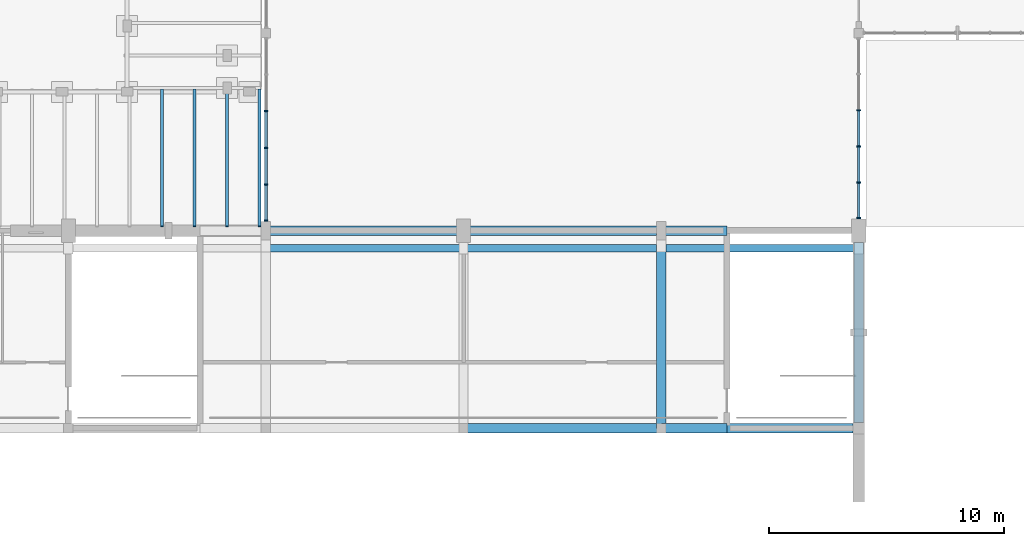
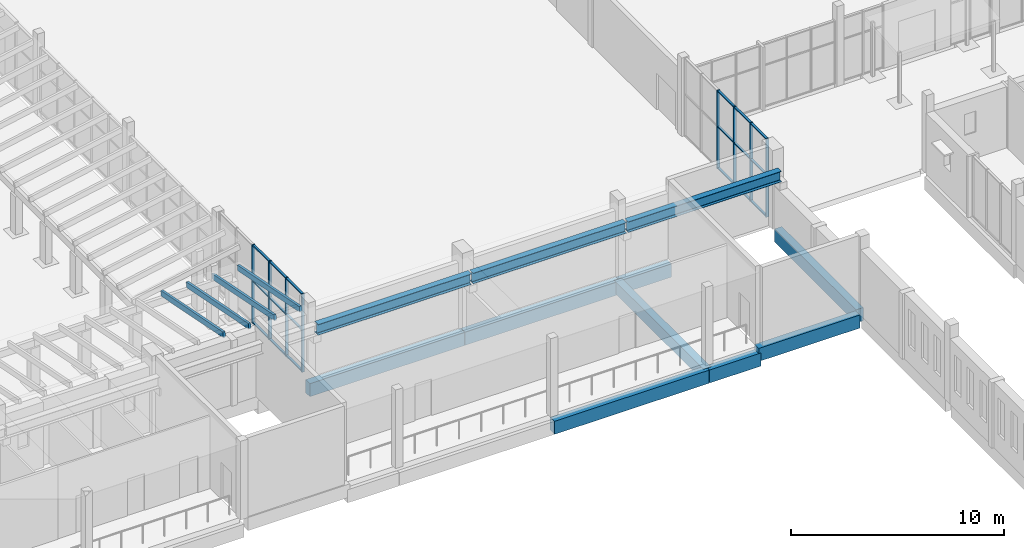
# One storey, part 10 of 60: 30 members, 11 beams, 2 elements without a shape of their own.
"""IFC4 building model written with IfcOpenShell, lengths in metres."""

from ifc_helpers import new_model, si_unit, direction, frame, origin, origin_2d, place, context, subcontext, project, spatial, rectangle, i_section, extrude, material, material_profile, profile_set, type_object, element, aggregate, save


model = new_model("IFC4")

# Units and contexts
model_context = context("Model", 3, precision=1e-05, world=origin(), true_north=direction((0.0, 1.0)))
body_context = subcontext(model_context, "Body", "Model", "MODEL_VIEW")
ifc_project = project(units=[si_unit("LENGTHUNIT", "METRE"), si_unit("AREAUNIT", "SQUARE_METRE"), si_unit("VOLUMEUNIT", "CUBIC_METRE"), si_unit("PLANEANGLEUNIT", "RADIAN"), si_unit("MASSUNIT", "GRAM", prefix="KILO")], contexts=[model_context])

# Site, building, storey
site_placement = place(None, origin())
site = spatial("IfcSite", under=ifc_project, at=site_placement, CompositionType="ELEMENT")
building_placement = place(site_placement, origin())
building = spatial("IfcBuilding", under=site, at=building_placement, Name="Fescue Hill Polytechnic", CompositionType="ELEMENT")
storey_placement = place(building_placement, frame((0.0, 0.0, 4.5)))
storey = spatial("IfcBuildingStorey", under=building, at=storey_placement, Name="L01", CompositionType="ELEMENT", Elevation=4.5)

# Beams
ifc_material_1 = material(Name="Concrete 35 MPa", Category="concrete")
ifc_material_profile_1 = material_profile(ifc_material_1, rectangle(XDim=0.39990234375, YDim=0.699951171875, at=origin_2d()), Name="RC 400x700")
ifc_profile_set_1 = profile_set([ifc_material_profile_1], Name="Concrete 35 MPa")
beam_type_1 = type_object("IfcBeamType", Name="Beam RC 400x700", PredefinedType="BEAM", material=ifc_profile_set_1)
beam_1_placement = place(storey_placement, frame((109.199951171875, 42.0, -0.64990234375), z_axis=(0.0, 1.0, 0.0), x_axis=(-1.0, 0.0, 0.0)))
element("IfcBeam", 1, at=beam_1_placement, inside=storey, type_object=beam_type_1, Name="BM-L01-0096", PredefinedType="BEAM", context=body_context, shape_type="SweptSolid", body=[
    extrude(rectangle(XDim=0.39990234375, YDim=0.699951171875, at=origin_2d()), origin(), (0.0, 0.0, 1.0), 8.39990234375),
])
ifc_material_profile_2 = material_profile(ifc_material_1, rectangle(XDim=0.39990234375, YDim=0.75, at=origin_2d()), Name="RC 400x750")
ifc_profile_set_2 = profile_set([ifc_material_profile_2], Name="Concrete 35 MPa")
beam_type_2 = type_object("IfcBeamType", Name="Beam RC 400x750", PredefinedType="BEAM", material=ifc_profile_set_2)
beam_2_placement = place(storey_placement, frame((92.409912109375, 50.39990234375, -0.675048828125), z_axis=(1.0, 0.0, 0.0), x_axis=(0.0, 1.0, 0.0)))
element("IfcBeam", 2, at=beam_2_placement, inside=storey, type_object=beam_type_2, Name="BM-L01-0085", PredefinedType="BEAM", context=body_context, shape_type="SweptSolid", body=[
    extrude(rectangle(XDim=0.39990234375, YDim=0.75, at=origin_2d()), origin(), (0.0, 0.0, 1.0), 8.380126953125),
])
for number, where, z_axis, x_axis, name in (
    (3, (100.81005859375, 42.0, -0.675048828125), (1.0, 0.0, 0.0), (0.0, 1.0, 0.0), "BM-L01-0092"),
    (4, (100.81005859375, 50.39990234375, -0.675048828125), (1.0, 0.0, 0.0), (0.0, 1.0, 0.0), "BM-L01-0093"),
):
    element("IfcBeam", number, at=place(storey_placement, frame(where, z_axis=z_axis, x_axis=x_axis)), inside=storey, type_object=beam_type_2, Name=name, PredefinedType="BEAM", context=body_context, shape_type="SweptSolid", body=[
        extrude(rectangle(XDim=0.39990234375, YDim=0.75, at=origin_2d()), origin(), (0.0, 0.0, 1.0), 8.3798828125),
    ])
for number, where, z_axis, x_axis, name in (
    (5, (109.2099609375, 42.0, -0.675048828125), (1.0, 0.0, 0.0), (0.0, 1.0, 0.0), "BM-L01-0100"),
    (6, (109.2099609375, 50.39990234375, -0.675048828125), (1.0, 0.0, 0.0), (0.0, 1.0, 0.0), "BM-L01-0101"),
):
    element("IfcBeam", number, at=place(storey_placement, frame(where, z_axis=z_axis, x_axis=x_axis)), inside=storey, type_object=beam_type_2, Name=name, PredefinedType="BEAM", context=body_context, shape_type="SweptSolid", body=[
        extrude(rectangle(XDim=0.39990234375, YDim=0.75, at=origin_2d()), origin(), (0.0, 0.0, 1.0), 2.7900390625),
    ])
beam_3_placement = place(storey_placement, frame((111.875, 42.0, -0.375), z_axis=(1.0, 0.0, 0.0), x_axis=(0.0, 1.0, 0.0)))
element("IfcBeam", 7, at=beam_3_placement, inside=storey, type_object=beam_type_2, Name="BM-L01-0139", PredefinedType="BEAM", context=body_context, shape_type="SweptSolid", body=[
    extrude(rectangle(XDim=0.39990234375, YDim=0.75, at=origin_2d()), origin(), (0.0, 0.0, 1.0), 5.47509765625),
])
beam_4_placement = place(storey_placement, frame((117.60009765625, 42.25, -0.375), z_axis=(0.0, 1.0, 0.0), x_axis=(-1.0, 0.0, 0.0)))
element("IfcBeam", 8, at=beam_4_placement, inside=storey, type_object=beam_type_2, Name="BM-L01-0144", PredefinedType="BEAM", context=body_context, shape_type="SweptSolid", body=[
    extrude(rectangle(XDim=0.39990234375, YDim=0.75, at=origin_2d()), origin(), (0.0, 0.0, 1.0), 7.64990234375),
])
ifc_material_2 = material(Name="Steel 350W (350 MPa)", Category="steel")
ifc_material_profile_3 = material_profile(ifc_material_2, i_section(OverallWidth=0.323974609375, OverallDepth=0.611083984375, WebThickness=0.0126953125, FlangeThickness=0.01904296875, FilletRadius=0.02197265625, at=origin_2d()), Name="W610x155")
ifc_profile_set_3 = profile_set([ifc_material_profile_3], Name="Steel 350W (350 MPa)")
beam_type_3 = type_object("IfcBeamType", Name="Crane runway girder W610x155", PredefinedType="BEAM", material=ifc_profile_set_3)
beam_5_placement = place(storey_placement, frame((92.449951171875, 49.64990234375, 3.194580078125), z_axis=(1.0, 0.0, 0.0), x_axis=(0.0, 1.0, 0.0)))
element("IfcBeam", 9, at=beam_5_placement, inside=storey, type_object=beam_type_3, Name="Crane runway girder N12", PredefinedType="BEAM", context=body_context, shape_type="SweptSolid", body=[
    extrude(i_section(OverallWidth=0.323974609375, OverallDepth=0.611083984375, WebThickness=0.0126953125, FlangeThickness=0.01904296875, FilletRadius=0.02197265625, at=origin_2d()), origin(), (0.0, 0.0, 1.0), 8.300048828125),
])
beam_6_placement = place(storey_placement, frame((100.85009765625, 49.64990234375, 3.194580078125), z_axis=(1.0, 0.0, 0.0), x_axis=(0.0, 1.0, 0.0)))
element("IfcBeam", 10, at=beam_6_placement, inside=storey, type_object=beam_type_3, Name="Crane runway girder N13", PredefinedType="BEAM", context=body_context, shape_type="SweptSolid", body=[
    extrude(i_section(OverallWidth=0.323974609375, OverallDepth=0.611083984375, WebThickness=0.0126953125, FlangeThickness=0.01904296875, FilletRadius=0.02197265625, at=origin_2d()), origin(), (0.0, 0.0, 1.0), 8.2998046875),
])
beam_7_placement = place(storey_placement, frame((109.25, 49.64990234375, 3.194580078125), z_axis=(1.0, 0.0, 0.0), x_axis=(0.0, 1.0, 0.0)))
element("IfcBeam", 11, at=beam_7_placement, inside=storey, type_object=beam_type_3, Name="Crane runway girder N14", PredefinedType="BEAM", context=body_context, shape_type="SweptSolid", body=[
    extrude(i_section(OverallWidth=0.323974609375, OverallDepth=0.611083984375, WebThickness=0.0126953125, FlangeThickness=0.01904296875, FilletRadius=0.02197265625, at=origin_2d()), origin(), (0.0, 0.0, 1.0), 8.300048828125),
])

# Curtain wall, members
ifc_material_3 = material(Name="Glass", Category="glass")
curtain_wall_type = type_object("IfcCurtainWallType", Name="Curtain wall structural glazing", PredefinedType="NOTDEFINED", material=ifc_material_3)
curtain_wall_1_placement = place(storey_placement, origin())
curtain_wall_1 = element("IfcCurtainWall", 12, at=curtain_wall_1_placement, inside=storey, type_object=curtain_wall_type, Name="CW-L01-V6-1", PredefinedType="NOTDEFINED")
ifc_material_4 = material(Name="Powder-coated aluminium", Category="aluminium")
ifc_material_profile_4 = material_profile(ifc_material_4, rectangle(XDim=0.159912109375, YDim=0.06005859375, at=origin_2d()), Name="Mullion aluminium 60x160")
ifc_profile_set_4 = profile_set([ifc_material_profile_4], Name="Powder-coated aluminium")
member_type_1 = type_object("IfcMemberType", Name="Mullion aluminium 60x160", PredefinedType="MULLION", material=ifc_profile_set_4)
member_1_placement = place(storey_placement, frame((117.60009765625, 50.929931640625, 0.0), z_axis=(0.0, 0.0, 1.0), x_axis=(-1.0, 0.0, 0.0)))
member_1 = element("IfcMember", 13, at=member_1_placement, type_object=member_type_1, Name="CW47 mullion 1", PredefinedType="MULLION", context=body_context, shape_type="SweptSolid", body=[
    extrude(rectangle(XDim=0.159912109375, YDim=0.06005859375, at=origin_2d()), origin(), (0.0, 0.0, 1.0), 4.47998046875),
])
member_2_placement = place(storey_placement, frame((117.60009765625, 52.43994140625, 0.0), z_axis=(0.0, 0.0, 1.0), x_axis=(-1.0, 0.0, 0.0)))
member_2 = element("IfcMember", 14, at=member_2_placement, type_object=member_type_1, Name="CW47 mullion 2", PredefinedType="MULLION", context=body_context, shape_type="SweptSolid", body=[
    extrude(rectangle(XDim=0.159912109375, YDim=0.06005859375, at=origin_2d()), origin(), (0.0, 0.0, 1.0), 4.47998046875),
])
member_3_placement = place(storey_placement, frame((117.60009765625, 53.97998046875, 0.0), z_axis=(0.0, 0.0, 1.0), x_axis=(-1.0, 0.0, 0.0)))
member_3 = element("IfcMember", 15, at=member_3_placement, type_object=member_type_1, Name="CW47 mullion 3", PredefinedType="MULLION", context=body_context, shape_type="SweptSolid", body=[
    extrude(rectangle(XDim=0.159912109375, YDim=0.06005859375, at=origin_2d()), origin(), (0.0, 0.0, 1.0), 4.47998046875),
])
member_4_placement = place(storey_placement, frame((117.60009765625, 55.52001953125, 0.0), z_axis=(0.0, 0.0, 1.0), x_axis=(-1.0, 0.0, 0.0)))
member_4 = element("IfcMember", 16, at=member_4_placement, type_object=member_type_1, Name="CW47 mullion 4", PredefinedType="MULLION", context=body_context, shape_type="SweptSolid", body=[
    extrude(rectangle(XDim=0.159912109375, YDim=0.06005859375, at=origin_2d()), origin(), (0.0, 0.0, 1.0), 4.47998046875),
])

curtain_wall_2_placement = place(storey_placement, origin())
curtain_wall_2 = element("IfcCurtainWall", 17, at=curtain_wall_2_placement, inside=storey, type_object=curtain_wall_type, Name="CW-L01-V6-7", PredefinedType="NOTDEFINED")
member_5_placement = place(storey_placement, frame((92.39990234375, 55.47998046875, 0.0), z_axis=(0.0, 0.0, 1.0), x_axis=(1.0, 0.0, 0.0)))
member_5 = element("IfcMember", 18, at=member_5_placement, type_object=member_type_1, Name="CW53 mullion 3", PredefinedType="MULLION", context=body_context, shape_type="SweptSolid", body=[
    extrude(rectangle(XDim=0.159912109375, YDim=0.06005859375, at=origin_2d()), origin(), (0.0, 0.0, 1.0), 4.47998046875),
])
member_6_placement = place(storey_placement, frame((92.39990234375, 53.919921875, 0.0), z_axis=(0.0, 0.0, 1.0), x_axis=(1.0, 0.0, 0.0)))
member_6 = element("IfcMember", 19, at=member_6_placement, type_object=member_type_1, Name="CW53 mullion 4", PredefinedType="MULLION", context=body_context, shape_type="SweptSolid", body=[
    extrude(rectangle(XDim=0.159912109375, YDim=0.06005859375, at=origin_2d()), origin(), (0.0, 0.0, 1.0), 4.47998046875),
])
member_7_placement = place(storey_placement, frame((92.39990234375, 52.360107421875, 0.0), z_axis=(0.0, 0.0, 1.0), x_axis=(1.0, 0.0, 0.0)))
member_7 = element("IfcMember", 20, at=member_7_placement, type_object=member_type_1, Name="CW53 mullion 5", PredefinedType="MULLION", context=body_context, shape_type="SweptSolid", body=[
    extrude(rectangle(XDim=0.159912109375, YDim=0.06005859375, at=origin_2d()), origin(), (0.0, 0.0, 1.0), 4.47998046875),
])
member_8_placement = place(storey_placement, frame((92.39990234375, 50.830078125, 0.0), z_axis=(0.0, 0.0, 1.0), x_axis=(1.0, 0.0, 0.0)))
member_8 = element("IfcMember", 21, at=member_8_placement, type_object=member_type_1, Name="CW53 mullion 6", PredefinedType="MULLION", context=body_context, shape_type="SweptSolid", body=[
    extrude(rectangle(XDim=0.159912109375, YDim=0.06005859375, at=origin_2d()), origin(), (0.0, 0.0, 1.0), 4.47998046875),
])

# Member
ifc_material_profile_5 = material_profile(ifc_material_4, rectangle(XDim=0.1201171875, YDim=0.06005859375, at=origin_2d()), Name="Transom aluminium 60x120")
ifc_profile_set_5 = profile_set([ifc_material_profile_5], Name="Powder-coated aluminium")
member_type_2 = type_object("IfcMemberType", Name="Transom aluminium 60x120", PredefinedType="USERDEFINED", material=ifc_profile_set_5)
member_9_placement = place(storey_placement, frame((117.60009765625, 50.9599609375, 0.030029296875), z_axis=(0.0, 1.0, 0.0), x_axis=(-1.0, 0.0, 0.0)))
member_9 = element("IfcMember", 22, at=member_9_placement, type_object=member_type_2, Name="CW47 transom 1.1", ObjectType="TRANSOM", PredefinedType="USERDEFINED", context=body_context, shape_type="SweptSolid", body=[
    extrude(rectangle(XDim=0.1201171875, YDim=0.06005859375, at=origin_2d()), origin(), (0.0, 0.0, 1.0), 1.449951171875),
])

member_10_placement = place(storey_placement, frame((117.60009765625, 50.9599609375, 2.39990234375), z_axis=(0.0, 1.0, 0.0), x_axis=(-1.0, 0.0, 0.0)))
member_10 = element("IfcMember", 23, at=member_10_placement, type_object=member_type_2, Name="CW47 transom 1.2", ObjectType="TRANSOM", PredefinedType="USERDEFINED", context=body_context, shape_type="SweptSolid", body=[
    extrude(rectangle(XDim=0.1201171875, YDim=0.06005859375, at=origin_2d()), origin(), (0.0, 0.0, 1.0), 1.449951171875),
])

member_11_placement = place(storey_placement, frame((117.60009765625, 50.9599609375, 4.449951171875), z_axis=(0.0, 1.0, 0.0), x_axis=(-1.0, 0.0, 0.0)))
member_11 = element("IfcMember", 24, at=member_11_placement, type_object=member_type_2, Name="CW47 transom 1.3", ObjectType="TRANSOM", PredefinedType="USERDEFINED", context=body_context, shape_type="SweptSolid", body=[
    extrude(rectangle(XDim=0.1201171875, YDim=0.06005859375, at=origin_2d()), origin(), (0.0, 0.0, 1.0), 1.449951171875),
])

member_12_placement = place(storey_placement, frame((117.60009765625, 52.469970703125, 0.030029296875), z_axis=(0.0, 1.0, 0.0), x_axis=(-1.0, 0.0, 0.0)))
member_12 = element("IfcMember", 25, at=member_12_placement, type_object=member_type_2, Name="CW47 transom 2.1", ObjectType="TRANSOM", PredefinedType="USERDEFINED", context=body_context, shape_type="SweptSolid", body=[
    extrude(rectangle(XDim=0.1201171875, YDim=0.06005859375, at=origin_2d()), origin(), (0.0, 0.0, 1.0), 1.47998046875),
])

member_13_placement = place(storey_placement, frame((117.60009765625, 52.469970703125, 2.39990234375), z_axis=(0.0, 1.0, 0.0), x_axis=(-1.0, 0.0, 0.0)))
member_13 = element("IfcMember", 26, at=member_13_placement, type_object=member_type_2, Name="CW47 transom 2.2", ObjectType="TRANSOM", PredefinedType="USERDEFINED", context=body_context, shape_type="SweptSolid", body=[
    extrude(rectangle(XDim=0.1201171875, YDim=0.06005859375, at=origin_2d()), origin(), (0.0, 0.0, 1.0), 1.47998046875),
])

member_14_placement = place(storey_placement, frame((117.60009765625, 52.469970703125, 4.449951171875), z_axis=(0.0, 1.0, 0.0), x_axis=(-1.0, 0.0, 0.0)))
member_14 = element("IfcMember", 27, at=member_14_placement, type_object=member_type_2, Name="CW47 transom 2.3", ObjectType="TRANSOM", PredefinedType="USERDEFINED", context=body_context, shape_type="SweptSolid", body=[
    extrude(rectangle(XDim=0.1201171875, YDim=0.06005859375, at=origin_2d()), origin(), (0.0, 0.0, 1.0), 1.47998046875),
])

member_15_placement = place(storey_placement, frame((117.60009765625, 54.010009765625, 0.030029296875), z_axis=(0.0, 1.0, 0.0), x_axis=(-1.0, 0.0, 0.0)))
member_15 = element("IfcMember", 28, at=member_15_placement, type_object=member_type_2, Name="CW47 transom 3.1", ObjectType="TRANSOM", PredefinedType="USERDEFINED", context=body_context, shape_type="SweptSolid", body=[
    extrude(rectangle(XDim=0.1201171875, YDim=0.06005859375, at=origin_2d()), origin(), (0.0, 0.0, 1.0), 1.47998046875),
])

member_16_placement = place(storey_placement, frame((117.60009765625, 54.010009765625, 2.39990234375), z_axis=(0.0, 1.0, 0.0), x_axis=(-1.0, 0.0, 0.0)))
member_16 = element("IfcMember", 29, at=member_16_placement, type_object=member_type_2, Name="CW47 transom 3.2", ObjectType="TRANSOM", PredefinedType="USERDEFINED", context=body_context, shape_type="SweptSolid", body=[
    extrude(rectangle(XDim=0.1201171875, YDim=0.06005859375, at=origin_2d()), origin(), (0.0, 0.0, 1.0), 1.47998046875),
])

member_17_placement = place(storey_placement, frame((117.60009765625, 54.010009765625, 4.449951171875), z_axis=(0.0, 1.0, 0.0), x_axis=(-1.0, 0.0, 0.0)))
member_17 = element("IfcMember", 30, at=member_17_placement, type_object=member_type_2, Name="CW47 transom 3.3", ObjectType="TRANSOM", PredefinedType="USERDEFINED", context=body_context, shape_type="SweptSolid", body=[
    extrude(rectangle(XDim=0.1201171875, YDim=0.06005859375, at=origin_2d()), origin(), (0.0, 0.0, 1.0), 1.47998046875),
])

aggregate(curtain_wall_1, [member_1, member_2, member_3, member_4, member_9, member_10, member_11, member_12, member_13, member_14, member_15, member_16, member_17])

member_18_placement = place(storey_placement, frame((92.39990234375, 55.449951171875, 0.030029296875), z_axis=(0.0, -1.0, 0.0), x_axis=(1.0, 0.0, 0.0)))
member_18 = element("IfcMember", 31, at=member_18_placement, type_object=member_type_2, Name="CW53 transom 3.1", ObjectType="TRANSOM", PredefinedType="USERDEFINED", context=body_context, shape_type="SweptSolid", body=[
    extrude(rectangle(XDim=0.1201171875, YDim=0.06005859375, at=origin_2d()), origin(), (0.0, 0.0, 1.0), 1.5),
])

member_19_placement = place(storey_placement, frame((92.39990234375, 55.449951171875, 2.39990234375), z_axis=(0.0, -1.0, 0.0), x_axis=(1.0, 0.0, 0.0)))
member_19 = element("IfcMember", 32, at=member_19_placement, type_object=member_type_2, Name="CW53 transom 3.2", ObjectType="TRANSOM", PredefinedType="USERDEFINED", context=body_context, shape_type="SweptSolid", body=[
    extrude(rectangle(XDim=0.1201171875, YDim=0.06005859375, at=origin_2d()), origin(), (0.0, 0.0, 1.0), 1.5),
])

member_20_placement = place(storey_placement, frame((92.39990234375, 55.449951171875, 4.449951171875), z_axis=(0.0, -1.0, 0.0), x_axis=(1.0, 0.0, 0.0)))
member_20 = element("IfcMember", 33, at=member_20_placement, type_object=member_type_2, Name="CW53 transom 3.3", ObjectType="TRANSOM", PredefinedType="USERDEFINED", context=body_context, shape_type="SweptSolid", body=[
    extrude(rectangle(XDim=0.1201171875, YDim=0.06005859375, at=origin_2d()), origin(), (0.0, 0.0, 1.0), 1.5),
])

member_21_placement = place(storey_placement, frame((92.39990234375, 53.889892578125, 0.030029296875), z_axis=(0.0, -1.0, 0.0), x_axis=(1.0, 0.0, 0.0)))
member_21 = element("IfcMember", 34, at=member_21_placement, type_object=member_type_2, Name="CW53 transom 4.1", ObjectType="TRANSOM", PredefinedType="USERDEFINED", context=body_context, shape_type="SweptSolid", body=[
    extrude(rectangle(XDim=0.1201171875, YDim=0.06005859375, at=origin_2d()), origin(), (0.0, 0.0, 1.0), 1.5),
])

member_22_placement = place(storey_placement, frame((92.39990234375, 53.889892578125, 2.39990234375), z_axis=(0.0, -1.0, 0.0), x_axis=(1.0, 0.0, 0.0)))
member_22 = element("IfcMember", 35, at=member_22_placement, type_object=member_type_2, Name="CW53 transom 4.2", ObjectType="TRANSOM", PredefinedType="USERDEFINED", context=body_context, shape_type="SweptSolid", body=[
    extrude(rectangle(XDim=0.1201171875, YDim=0.06005859375, at=origin_2d()), origin(), (0.0, 0.0, 1.0), 1.5),
])

member_23_placement = place(storey_placement, frame((92.39990234375, 53.889892578125, 4.449951171875), z_axis=(0.0, -1.0, 0.0), x_axis=(1.0, 0.0, 0.0)))
member_23 = element("IfcMember", 36, at=member_23_placement, type_object=member_type_2, Name="CW53 transom 4.3", ObjectType="TRANSOM", PredefinedType="USERDEFINED", context=body_context, shape_type="SweptSolid", body=[
    extrude(rectangle(XDim=0.1201171875, YDim=0.06005859375, at=origin_2d()), origin(), (0.0, 0.0, 1.0), 1.5),
])

member_24_placement = place(storey_placement, frame((92.39990234375, 52.330078125, 0.030029296875), z_axis=(0.0, -1.0, 0.0), x_axis=(1.0, 0.0, 0.0)))
member_24 = element("IfcMember", 37, at=member_24_placement, type_object=member_type_2, Name="CW53 transom 5.1", ObjectType="TRANSOM", PredefinedType="USERDEFINED", context=body_context, shape_type="SweptSolid", body=[
    extrude(rectangle(XDim=0.1201171875, YDim=0.06005859375, at=origin_2d()), origin(), (0.0, 0.0, 1.0), 1.469970703125),
])

member_25_placement = place(storey_placement, frame((92.39990234375, 52.330078125, 2.39990234375), z_axis=(0.0, -1.0, 0.0), x_axis=(1.0, 0.0, 0.0)))
member_25 = element("IfcMember", 38, at=member_25_placement, type_object=member_type_2, Name="CW53 transom 5.2", ObjectType="TRANSOM", PredefinedType="USERDEFINED", context=body_context, shape_type="SweptSolid", body=[
    extrude(rectangle(XDim=0.1201171875, YDim=0.06005859375, at=origin_2d()), origin(), (0.0, 0.0, 1.0), 1.469970703125),
])

member_26_placement = place(storey_placement, frame((92.39990234375, 52.330078125, 4.449951171875), z_axis=(0.0, -1.0, 0.0), x_axis=(1.0, 0.0, 0.0)))
member_26 = element("IfcMember", 39, at=member_26_placement, type_object=member_type_2, Name="CW53 transom 5.3", ObjectType="TRANSOM", PredefinedType="USERDEFINED", context=body_context, shape_type="SweptSolid", body=[
    extrude(rectangle(XDim=0.1201171875, YDim=0.06005859375, at=origin_2d()), origin(), (0.0, 0.0, 1.0), 1.469970703125),
])

aggregate(curtain_wall_2, [member_5, member_6, member_7, member_8, member_18, member_19, member_20, member_21, member_22, member_23, member_24, member_25, member_26])

# Members
ifc_material_5 = material(Name="Glulam 24f-EX", Category="wood")
ifc_material_profile_6 = material_profile(ifc_material_5, rectangle(XDim=0.1298828125, YDim=0.303955078125, at=origin_2d()), Name="Veranda rafter 130x304")
ifc_profile_set_6 = profile_set([ifc_material_profile_6], Name="Glulam 24f-EX")
member_type_3 = type_object("IfcMemberType", Name="Veranda rafter 130x304", PredefinedType="RAFTER", material=ifc_profile_set_6)
for number, where, z_axis, x_axis, name in (
    (40, (87.98681640625, 50.574951171875, 3.84130859375), (0.0, 0.981058505285, -0.193711665133), (-1.0, 0.0, 0.0), "Hall veranda rafter"),
    (41, (89.36962890625, 50.574951171875, 3.84130859375), (0.0, 0.981058505285, -0.193711665133), (-1.0, 0.0, 0.0), "Hall veranda rafter"),
    (42, (90.752197265625, 50.574951171875, 3.84130859375), (0.0, 0.981058505285, -0.193711665133), (-1.0, 0.0, 0.0), "Hall veranda rafter"),
    (43, (92.135009765625, 50.574951171875, 3.84130859375), (0.0, 0.981058505285, -0.193711665133), (-1.0, 0.0, 0.0), "Hall veranda rafter"),
):
    element("IfcMember", number, at=place(storey_placement, frame(where, z_axis=z_axis, x_axis=x_axis)), inside=storey, type_object=member_type_3, Name=name, PredefinedType="RAFTER", context=body_context, shape_type="SweptSolid", body=[
        extrude(rectangle(XDim=0.1298828125, YDim=0.303955078125, at=origin_2d()), origin(), (0.0, 0.0, 1.0), 5.9375),
    ])

save(model, "model.ifc")
